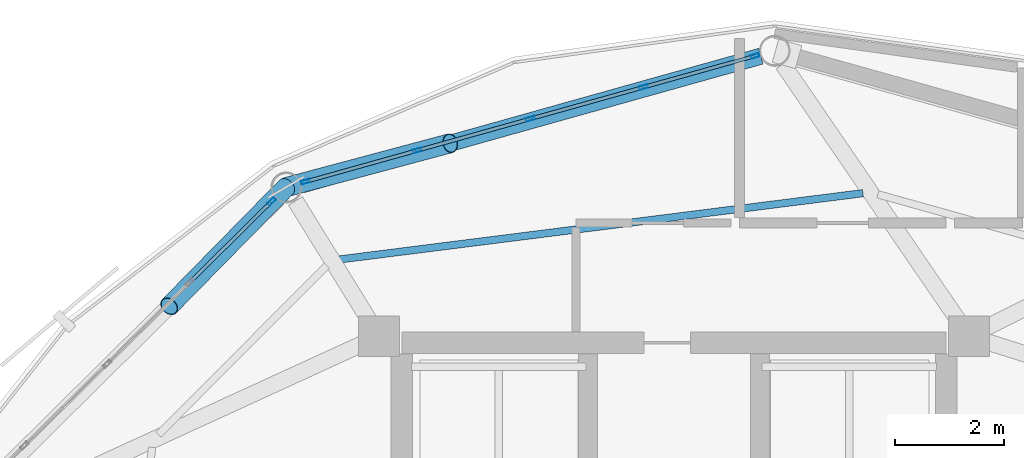
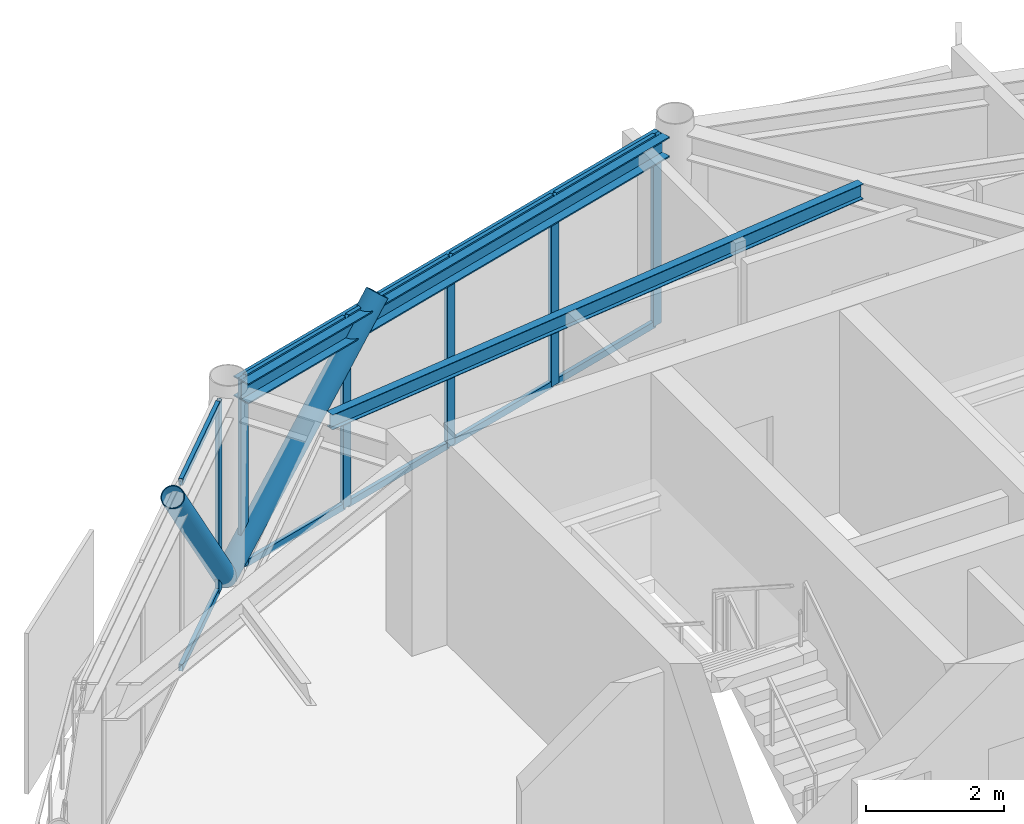
# One storey, part 17 of 26: 18 members, 2 beams, 2 elements without a shape of their own.
"""IFC4 building model written with IfcOpenShell, lengths in metres."""

from ifc_helpers import new_model, si_unit, direction, frame, origin, origin_2d, place, context, subcontext, project, spatial, hollow_rectangle, hollow_circle, i_section, extrude, material, layer, layer_set, material_profile, profile_set, type_object, element, aggregate, save


model = new_model("IFC4")

# Units and contexts
model_context = context("Model", 3, precision=1e-05, world=origin(), true_north=direction((0.0, 1.0)))
body_context = subcontext(model_context, "Body", "Model", "MODEL_VIEW")
ifc_project = project(units=[si_unit("LENGTHUNIT", "METRE"), si_unit("AREAUNIT", "SQUARE_METRE"), si_unit("VOLUMEUNIT", "CUBIC_METRE"), si_unit("PLANEANGLEUNIT", "RADIAN"), si_unit("MASSUNIT", "GRAM", prefix="KILO")], contexts=[model_context])

# Site, building, storey
site_placement = place(None, origin())
site = spatial("IfcSite", under=ifc_project, at=site_placement, CompositionType="ELEMENT")
building_placement = place(site_placement, origin())
building = spatial("IfcBuilding", under=site, at=building_placement, Name="Varnakorn Sky Granary", CompositionType="ELEMENT")
storey_placement = place(building_placement, frame((0.0, 0.0, 270.60009765625)))
storey = spatial("IfcBuildingStorey", under=building, at=storey_placement, Name="L69", CompositionType="ELEMENT", Elevation=270.60009765625)

# Beams
ifc_material_1 = material(Name="Steel S355JR", Category="steel")
ifc_material_profile_1 = material_profile(ifc_material_1, i_section(OverallWidth=0.135009765625, OverallDepth=0.27001953125, WebThickness=0.006591796875, FlangeThickness=0.01025390625, at=origin_2d()), Name="IPE 270")
ifc_profile_set_1 = profile_set([ifc_material_profile_1], Name="Steel S355JR")
beam_type_1 = type_object("IfcBeamType", Name="BM-SEC-Z5", PredefinedType="BEAM", material=ifc_profile_set_1)
beam_1_placement = place(storey_placement, frame((6.470703125, 15.247314453125, 3.224853515625), z_axis=(-0.992082439448, -0.125588348739, 0.0), x_axis=(0.125588348739, -0.992082439448, 0.0)))
element("IfcBeam", 1, at=beam_1_placement, inside=storey, type_object=beam_type_1, Name="Secondary Floor Chord Beam MSB04 L69", PredefinedType="BEAM", context=body_context, shape_type="SweptSolid", body=[
    extrude(i_section(OverallWidth=0.135009765625, OverallDepth=0.27001953125, WebThickness=0.006591796875, FlangeThickness=0.01025390625, at=origin_2d()), origin(), (0.0, 0.0, 1.0), 9.688720703125),
])
ifc_material_profile_2 = material_profile(ifc_material_1, i_section(OverallWidth=0.300048828125, OverallDepth=0.360107421875, WebThickness=0.012451171875, FlangeThickness=0.0224609375, at=origin_2d()), Name="HE 360 B")
ifc_profile_set_2 = profile_set([ifc_material_profile_2], Name="Steel S355JR")
beam_type_2 = type_object("IfcBeamType", Name="BM-SPD-Z5", PredefinedType="SPANDREL", material=ifc_profile_set_2)
beam_2_placement = place(storey_placement, frame((4.59521484375, 17.763671875, 3.179931640625), z_axis=(-0.96289392895, -0.269880124482, 0.0), x_axis=(0.269880124482, -0.96289392895, 0.0)))
element("IfcBeam", 2, at=beam_2_placement, inside=storey, type_object=beam_type_2, Name="Perimeter Spandrel Ring Beam RB04 L69", PredefinedType="SPANDREL", context=body_context, shape_type="SweptSolid", body=[
    extrude(i_section(OverallWidth=0.300048828125, OverallDepth=0.360107421875, WebThickness=0.012451171875, FlangeThickness=0.0224609375, at=origin_2d()), origin(), (0.0, 0.0, 1.0), 8.758544921875),
])

# Curtain wall, members
ifc_material_2 = material(Name="Anodised Bronze Aluminium Alloy 6063-T6", Category="aluminium")
ifc_layer = layer(ifc_material_2, 0.159912109375, Name="Anodised Bronze Aluminium Alloy 6063-T6")
ifc_layer_set = layer_set([ifc_layer], Name="Anodised Bronze Aluminium Alloy 6063-T6")
curtain_wall_type = type_object("IfcCurtainWallType", Name="CW-OFF-1", PredefinedType="USERDEFINED", material=ifc_layer_set)
curtain_wall_1_placement = place(storey_placement, origin())
curtain_wall_1 = element("IfcCurtainWall", 3, at=curtain_wall_1_placement, inside=storey, type_object=curtain_wall_type, Name="Unitised Curtain Wall CW6 CW-L69-B04", ObjectType="CURTAIN WALL", PredefinedType="USERDEFINED")
ifc_material_profile_3 = material_profile(ifc_material_2, hollow_rectangle(XDim=0.06494140625, YDim=0.159912109375, WallThickness=0.00341796875, at=origin_2d()), Name="ALU MULL 65x160")
ifc_profile_set_3 = profile_set([ifc_material_profile_3], Name="Anodised Bronze Aluminium Alloy 6063-T6")
member_type_1 = type_object("IfcMemberType", Name="CW-OFF-1-MULL", PredefinedType="MULLION", material=ifc_profile_set_3)
member_1_placement = place(storey_placement, frame((-3.768798828125, 15.458251953125, 0.0), z_axis=(0.0, 0.0, 1.0), x_axis=(-0.269378844621, 0.963034287069, 0.0)))
member_1 = element("IfcMember", 4, at=member_1_placement, type_object=member_type_1, Name="CW6 mullion 1", PredefinedType="MULLION", context=body_context, shape_type="SweptSolid", body=[
    extrude(hollow_rectangle(XDim=0.06494140625, YDim=0.159912109375, WallThickness=0.00341796875, at=origin_2d()), origin(), (0.0, 0.0, 1.0), 3.35986328125),
])
member_2_placement = place(storey_placement, frame((-1.71923828125, 16.031494140625, 0.0), z_axis=(0.0, 0.0, 1.0), x_axis=(-0.269378844621, 0.963034287069, 0.0)))
member_2 = element("IfcMember", 5, at=member_2_placement, type_object=member_type_1, Name="CW6 mullion 2", PredefinedType="MULLION", context=body_context, shape_type="SweptSolid", body=[
    extrude(hollow_rectangle(XDim=0.06494140625, YDim=0.159912109375, WallThickness=0.00341796875, at=origin_2d()), origin(), (0.0, 0.0, 1.0), 3.35986328125),
])
member_3_placement = place(storey_placement, frame((0.361572265625, 16.613525390625, 0.0), z_axis=(0.0, 0.0, 1.0), x_axis=(-0.269378844621, 0.963034287069, 0.0)))
member_3 = element("IfcMember", 6, at=member_3_placement, type_object=member_type_1, Name="CW6 mullion 3", PredefinedType="MULLION", context=body_context, shape_type="SweptSolid", body=[
    extrude(hollow_rectangle(XDim=0.06494140625, YDim=0.159912109375, WallThickness=0.00341796875, at=origin_2d()), origin(), (0.0, 0.0, 1.0), 3.35986328125),
])
member_4_placement = place(storey_placement, frame((2.442138671875, 17.195556640625, 0.0), z_axis=(0.0, 0.0, 1.0), x_axis=(-0.269378844621, 0.963034287069, 0.0)))
member_4 = element("IfcMember", 7, at=member_4_placement, type_object=member_type_1, Name="CW6 mullion 4", PredefinedType="MULLION", context=body_context, shape_type="SweptSolid", body=[
    extrude(hollow_rectangle(XDim=0.06494140625, YDim=0.159912109375, WallThickness=0.00341796875, at=origin_2d()), origin(), (0.0, 0.0, 1.0), 3.35986328125),
])
member_5_placement = place(storey_placement, frame((4.49169921875, 17.768798828125, 0.0), z_axis=(0.0, 0.0, 1.0), x_axis=(-0.269378844621, 0.963034287069, 0.0)))
member_5 = element("IfcMember", 8, at=member_5_placement, type_object=member_type_1, Name="CW6 mullion 5", PredefinedType="MULLION", context=body_context, shape_type="SweptSolid", body=[
    extrude(hollow_rectangle(XDim=0.06494140625, YDim=0.159912109375, WallThickness=0.00341796875, at=origin_2d()), origin(), (0.0, 0.0, 1.0), 3.35986328125),
])

# Curtain wall, member
curtain_wall_2_placement = place(storey_placement, origin())
curtain_wall_2 = element("IfcCurtainWall", 9, at=curtain_wall_2_placement, inside=storey, type_object=curtain_wall_type, Name="Unitised Curtain Wall CW6 CW-L69-B05", ObjectType="CURTAIN WALL", PredefinedType="USERDEFINED")
member_6_placement = place(storey_placement, frame((-4.3916015625, 15.0966796875, 0.0), z_axis=(0.0, 0.0, 1.0), x_axis=(-0.702728935419, 0.711457689062, 0.0)))
member_6 = element("IfcMember", 10, at=member_6_placement, type_object=member_type_1, Name="CW6 mullion 5", PredefinedType="MULLION", context=body_context, shape_type="SweptSolid", body=[
    extrude(hollow_rectangle(XDim=0.06494140625, YDim=0.159912109375, WallThickness=0.00341796875, at=origin_2d()), origin(), (0.0, 0.0, 1.0), 3.35986328125),
])

# Member
ifc_material_profile_4 = material_profile(ifc_material_2, hollow_rectangle(XDim=0.06494140625, YDim=0.1201171875, WallThickness=0.00341796875, at=origin_2d()), Name="ALU TRAN 65x120")
ifc_profile_set_4 = profile_set([ifc_material_profile_4], Name="Anodised Bronze Aluminium Alloy 6063-T6")
member_type_2 = type_object("IfcMemberType", Name="CW-OFF-1-TRAN", PredefinedType="USERDEFINED", material=ifc_profile_set_4)
member_7_placement = place(storey_placement, frame((-3.7373046875, 15.467041015625, 0.032470703125), z_axis=(0.963045092975, 0.269340210323, 0.0), x_axis=(-0.269340210323, 0.963045092975, 0.0)))
member_7 = element("IfcMember", 11, at=member_7_placement, type_object=member_type_2, Name="CW6 transom 1.1", ObjectType="TRANSOM", PredefinedType="USERDEFINED", context=body_context, shape_type="SweptSolid", body=[
    extrude(hollow_rectangle(XDim=0.06494140625, YDim=0.1201171875, WallThickness=0.00341796875, at=origin_2d()), origin(), (0.0, 0.0, 1.0), 2.06298828125),
])

member_8_placement = place(storey_placement, frame((-3.7373046875, 15.467041015625, 3.327392578125), z_axis=(0.963045092975, 0.269340210323, 0.0), x_axis=(-0.269340210323, 0.963045092975, 0.0)))
member_8 = element("IfcMember", 12, at=member_8_placement, type_object=member_type_2, Name="CW6 transom 1.2", ObjectType="TRANSOM", PredefinedType="USERDEFINED", context=body_context, shape_type="SweptSolid", body=[
    extrude(hollow_rectangle(XDim=0.06494140625, YDim=0.1201171875, WallThickness=0.00341796875, at=origin_2d()), origin(), (0.0, 0.0, 1.0), 2.06298828125),
])

member_9_placement = place(storey_placement, frame((-1.68798828125, 16.040283203125, 0.032470703125), z_axis=(0.963047454433, 0.26933176662, 0.0), x_axis=(-0.26933176662, 0.963047454433, 0.0)))
member_9 = element("IfcMember", 13, at=member_9_placement, type_object=member_type_2, Name="CW6 transom 2.1", ObjectType="TRANSOM", PredefinedType="USERDEFINED", context=body_context, shape_type="SweptSolid", body=[
    extrude(hollow_rectangle(XDim=0.06494140625, YDim=0.1201171875, WallThickness=0.00341796875, at=origin_2d()), origin(), (0.0, 0.0, 1.0), 2.095703125),
])

member_10_placement = place(storey_placement, frame((-1.68798828125, 16.040283203125, 3.327392578125), z_axis=(0.963047454433, 0.26933176662, 0.0), x_axis=(-0.26933176662, 0.963047454433, 0.0)))
member_10 = element("IfcMember", 14, at=member_10_placement, type_object=member_type_2, Name="CW6 transom 2.2", ObjectType="TRANSOM", PredefinedType="USERDEFINED", context=body_context, shape_type="SweptSolid", body=[
    extrude(hollow_rectangle(XDim=0.06494140625, YDim=0.1201171875, WallThickness=0.00341796875, at=origin_2d()), origin(), (0.0, 0.0, 1.0), 2.095703125),
])

member_11_placement = place(storey_placement, frame((0.392822265625, 16.622314453125, 0.032470703125), z_axis=(0.963039002656, 0.269361985742, 0.0), x_axis=(-0.269361985742, 0.963039002656, 0.0)))
member_11 = element("IfcMember", 15, at=member_11_placement, type_object=member_type_2, Name="CW6 transom 3.1", ObjectType="TRANSOM", PredefinedType="USERDEFINED", context=body_context, shape_type="SweptSolid", body=[
    extrude(hollow_rectangle(XDim=0.06494140625, YDim=0.1201171875, WallThickness=0.00341796875, at=origin_2d()), origin(), (0.0, 0.0, 1.0), 2.095458984375),
])

member_12_placement = place(storey_placement, frame((0.392822265625, 16.622314453125, 3.327392578125), z_axis=(0.963039002656, 0.269361985742, 0.0), x_axis=(-0.269361985742, 0.963039002656, 0.0)))
member_12 = element("IfcMember", 16, at=member_12_placement, type_object=member_type_2, Name="CW6 transom 3.2", ObjectType="TRANSOM", PredefinedType="USERDEFINED", context=body_context, shape_type="SweptSolid", body=[
    extrude(hollow_rectangle(XDim=0.06494140625, YDim=0.1201171875, WallThickness=0.00341796875, at=origin_2d()), origin(), (0.0, 0.0, 1.0), 2.095458984375),
])

member_13_placement = place(storey_placement, frame((2.4736328125, 17.204345703125, 0.032470703125), z_axis=(0.963045092975, 0.269340210323, 0.0), x_axis=(-0.269340210323, 0.963045092975, 0.0)))
member_13 = element("IfcMember", 17, at=member_13_placement, type_object=member_type_2, Name="CW6 transom 4.1", ObjectType="TRANSOM", PredefinedType="USERDEFINED", context=body_context, shape_type="SweptSolid", body=[
    extrude(hollow_rectangle(XDim=0.06494140625, YDim=0.1201171875, WallThickness=0.00341796875, at=origin_2d()), origin(), (0.0, 0.0, 1.0), 2.06298828125),
])

member_14_placement = place(storey_placement, frame((2.4736328125, 17.204345703125, 3.327392578125), z_axis=(0.963045092975, 0.269340210323, 0.0), x_axis=(-0.269340210323, 0.963045092975, 0.0)))
member_14 = element("IfcMember", 18, at=member_14_placement, type_object=member_type_2, Name="CW6 transom 4.2", ObjectType="TRANSOM", PredefinedType="USERDEFINED", context=body_context, shape_type="SweptSolid", body=[
    extrude(hollow_rectangle(XDim=0.06494140625, YDim=0.1201171875, WallThickness=0.00341796875, at=origin_2d()), origin(), (0.0, 0.0, 1.0), 2.06298828125),
])

aggregate(curtain_wall_1, [member_1, member_2, member_3, member_4, member_5, member_7, member_8, member_9, member_10, member_11, member_12, member_13, member_14])

member_15_placement = place(storey_placement, frame((-5.867431640625, 13.638916015625, 0.032470703125), z_axis=(0.711457716549, 0.70272890759, 0.0), x_axis=(-0.70272890759, 0.711457716549, 0.0)))
member_15 = element("IfcMember", 19, at=member_15_placement, type_object=member_type_2, Name="CW6 transom 4.1", ObjectType="TRANSOM", PredefinedType="USERDEFINED", context=body_context, shape_type="SweptSolid", body=[
    extrude(hollow_rectangle(XDim=0.06494140625, YDim=0.1201171875, WallThickness=0.00341796875, at=origin_2d()), origin(), (0.0, 0.0, 1.0), 2.041748046875),
])

member_16_placement = place(storey_placement, frame((-5.867431640625, 13.638916015625, 3.327392578125), z_axis=(0.711457716549, 0.70272890759, 0.0), x_axis=(-0.70272890759, 0.711457716549, 0.0)))
member_16 = element("IfcMember", 20, at=member_16_placement, type_object=member_type_2, Name="CW6 transom 4.2", ObjectType="TRANSOM", PredefinedType="USERDEFINED", context=body_context, shape_type="SweptSolid", body=[
    extrude(hollow_rectangle(XDim=0.06494140625, YDim=0.1201171875, WallThickness=0.00341796875, at=origin_2d()), origin(), (0.0, 0.0, 1.0), 2.041748046875),
])

aggregate(curtain_wall_2, [member_6, member_15, member_16])

# Members
ifc_material_3 = material(Name="Steel S460M", Category="steel")
ifc_material_profile_5 = material_profile(ifc_material_3, hollow_circle(Radius=0.177734375, WallThickness=0.01416015625, at=origin_2d()), Name="CHS 355.6x14")
ifc_profile_set_5 = profile_set([ifc_material_profile_5], Name="Steel S460M")
member_type_3 = type_object("IfcMemberType", Name="MB-DIAG-T5", PredefinedType="BRACE", material=ifc_profile_set_5)
member_17_placement = place(storey_placement, frame((-4.126953125, 15.358154296875, 0.0), z_axis=(0.643962402719, 0.172137006347, 0.74544032285), x_axis=(-0.258242036384, 0.966080250623, 0.0)))
element("IfcMember", 21, at=member_17_placement, inside=storey, type_object=member_type_3, Name="Perimeter CHS Diagrid Brace DG04 L69", PredefinedType="BRACE", context=body_context, shape_type="SweptSolid", body=[
    extrude(hollow_circle(Radius=0.177734375, WallThickness=0.01416015625, at=origin_2d()), origin(), (0.0, 0.0, 1.0), 4.681884765625),
])
member_18_placement = place(storey_placement, frame((-4.126953125, 15.358154296875, 0.0), z_axis=(-0.462363909436, -0.471139312649, 0.751164005612), x_axis=(0.713722408202, -0.700428671622, 0.0)))
element("IfcMember", 22, at=member_18_placement, inside=storey, type_object=member_type_3, Name="Perimeter CHS Diagrid Brace DG05 L69", PredefinedType="BRACE", context=body_context, shape_type="SweptSolid", body=[
    extrude(hollow_circle(Radius=0.177734375, WallThickness=0.01416015625, at=origin_2d()), origin(), (0.0, 0.0, 1.0), 4.64599609375),
])

save(model, "model.ifc")
